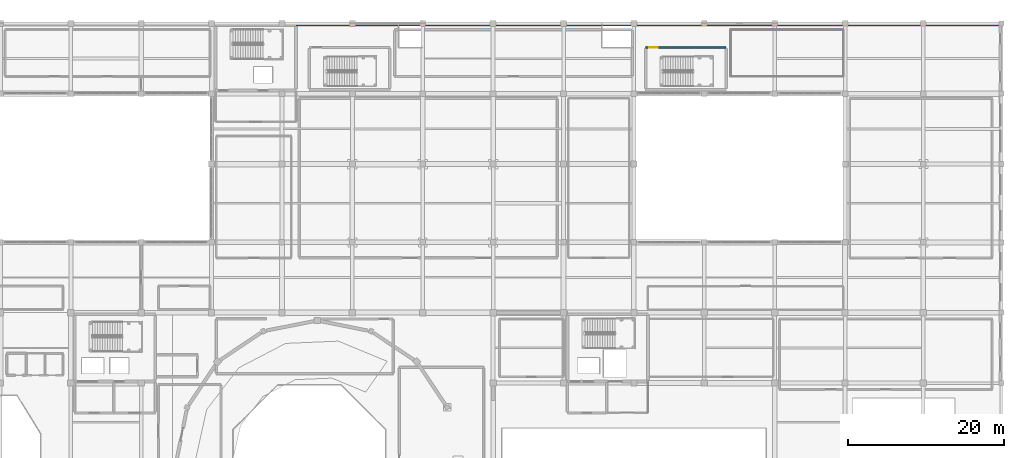
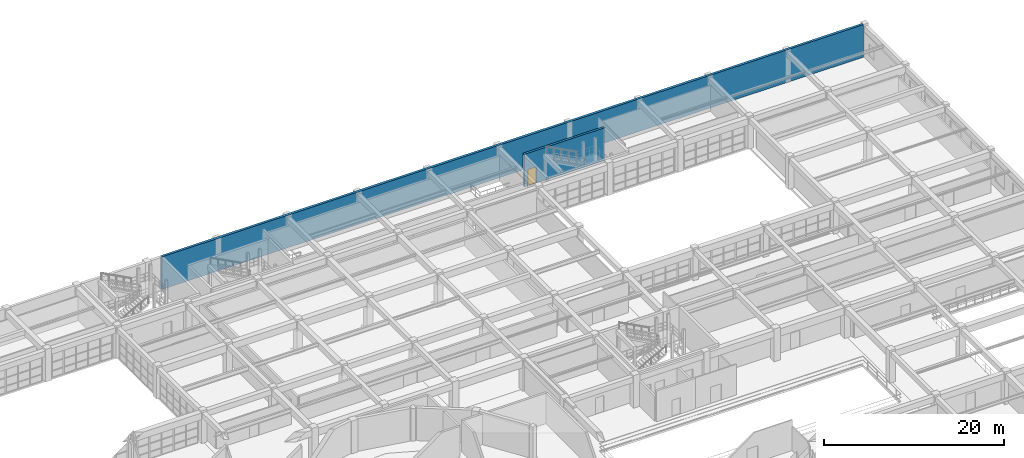
# One storey, part 115 of 133: 2 walls, 1 door, 1 opening.
"""IFC4 building model written with IfcOpenShell, lengths in metres."""

import ifcopenshell
import ifcopenshell.guid

model = None  # the IFC model being written
_history = None  # IfcOwnerHistory: only IFC2X3 demands one
_inside = {}  # id of a spatial element -> (the spatial element, [elements in it])
_under = {}  # id of a project, library or spatial element -> (it, [spatial elements below it])
_declared = {}  # id of a project -> (the project, [libraries it declares])
_typed = {}  # id of a type object -> (the type object, [elements of that type])
_made_of = {}  # id of a material, layer set ... -> (it, [elements and type objects made of it])


def new_model(schema):
    """Start an empty IFC model of exactly this schema.

    Asked for "IFC4X3", IfcOpenShell would pick the latest addendum, in which some entities
    have other attributes; the version numbers below select the first issue.
    IFC2X3 requires an IfcOwnerHistory on every rooted entity: one is made here for all.
    """
    global model, _history
    if schema == "IFC4X3":
        model = ifcopenshell.file(schema_version=(4, 3, 0, 0))
    else:
        model = ifcopenshell.file(schema=schema)
    _inside.clear()
    _under.clear()
    _declared.clear()
    _typed.clear()
    _made_of.clear()
    _history = None
    if model.schema == "IFC2X3":
        org = make("IfcOrganization", Name="unknown")
        user = make(
            "IfcPersonAndOrganization",
            ThePerson=make("IfcPerson", FamilyName="unknown"),
            TheOrganization=org,
        )
        app = make(
            "IfcApplication",
            ApplicationDeveloper=org,
            Version="unknown",
            ApplicationFullName="unknown",
            ApplicationIdentifier="unknown",
        )
        _history = make(
            "IfcOwnerHistory",
            OwningUser=user,
            OwningApplication=app,
            ChangeAction="ADDED",
            CreationDate=0,
        )
    return model


def make(cls, **values):
    """One entity of the class cls with the attributes given. An attribute that is None is left unset."""
    return model.create_entity(
        cls, **{name: value for name, value in values.items() if value is not None}
    )


def rooted(cls, **values):
    """An entity with a GlobalId (a new one), such as an element, a storey or a relation."""
    return make(cls, GlobalId=ifcopenshell.guid.new(), OwnerHistory=_history, **values)


def si_unit(unit_type, name, prefix=None):
    """IfcSIUnit, for example si_unit("LENGTHUNIT", "METRE", prefix="MILLI")."""
    return make("IfcSIUnit", UnitType=unit_type, Prefix=prefix, Name=name)


def assignment(units):
    """IfcUnitAssignment: the units of a project."""
    return None if units is None else make("IfcUnitAssignment", Units=units)


def point(xyz):
    """IfcCartesianPoint."""
    return None if xyz is None else make("IfcCartesianPoint", Coordinates=xyz)


def direction(xyz):
    """IfcDirection."""
    return None if xyz is None else make("IfcDirection", DirectionRatios=xyz)


def frame(location, z_axis=None, x_axis=None):
    """IfcAxis2Placement3D, a coordinate frame: its origin and axes. An axis left out is left unset."""
    return make(
        "IfcAxis2Placement3D",
        Location=point(location),
        Axis=direction(z_axis),
        RefDirection=direction(x_axis),
    )


def frame_2d(location, x_axis=None):
    """IfcAxis2Placement2D, a coordinate frame in the plane: its origin and x axis."""
    return make(
        "IfcAxis2Placement2D", Location=point(location), RefDirection=direction(x_axis)
    )


def origin():
    """The frame at (0, 0, 0) with its axes left unset."""
    return frame((0.0, 0.0, 0.0))


def place(relative_to, where):
    """IfcLocalPlacement: puts the frame where relative to a parent placement (None: the world)."""
    return make(
        "IfcLocalPlacement", PlacementRelTo=relative_to, RelativePlacement=where
    )


def context(
    kind, dimensions, precision=None, world=None, true_north=None, identifier=None
):
    """IfcGeometricRepresentationContext, for example the 3D "Model" context."""
    return make(
        "IfcGeometricRepresentationContext",
        ContextIdentifier=identifier,
        ContextType=kind,
        CoordinateSpaceDimension=dimensions,
        Precision=precision,
        WorldCoordinateSystem=world,
        TrueNorth=true_north,
    )


def subcontext(parent, identifier, kind, view, scale=None):
    """IfcGeometricRepresentationSubContext, for example "Body" below "Model"."""
    return make(
        "IfcGeometricRepresentationSubContext",
        ContextIdentifier=identifier,
        ContextType=kind,
        ParentContext=parent,
        TargetScale=scale,
        TargetView=view,
    )


def project(units=None, contexts=None):
    """IfcProject with its units and contexts."""
    return rooted(
        "IfcProject",
        Name="project",
        RepresentationContexts=contexts,
        UnitsInContext=assignment(units),
    )


def spatial(cls, under=None, at=None, **own):
    """A site, building, storey or space (cls), placed at a placement, below another one or the project."""
    s = rooted(cls, ObjectPlacement=at, **own)
    if under is not None:
        _under.setdefault(under.id(), (under, []))[1].append(s)
    return s


def profile(cls, at=None, kind="AREA", **sizes):
    """A parametric profile (cls). Its sizes go by their IFC names, for example OverallWidth=200.0."""
    return make(cls, ProfileType=kind, Position=at, **sizes)


def rectangle(**sizes):
    """IfcRectangleProfileDef."""
    return profile("IfcRectangleProfileDef", **sizes)


def extrude(swept, where, along, depth):
    """IfcExtrudedAreaSolid: the profile swept, set in the frame where, extruded along a direction by depth."""
    return make(
        "IfcExtrudedAreaSolid",
        SweptArea=swept,
        Position=where,
        ExtrudedDirection=direction(along),
        Depth=depth,
    )


def shape(context_of_items, identifier, shape_type, items):
    """IfcShapeRepresentation: the items that make up one representation, for example the "Body"."""
    return make(
        "IfcShapeRepresentation",
        ContextOfItems=context_of_items,
        RepresentationIdentifier=identifier,
        RepresentationType=shape_type,
        Items=items,
    )


def material(Name=None, Category=None):
    """IfcMaterial."""
    return make("IfcMaterial", Name=Name, Category=Category)


def layer(
    of_material, thickness, ventilated=None, Name=None, Category=None, Priority=None
):
    """IfcMaterialLayer: one layer of a wall or slab, of a material (None: an air gap)."""
    return make(
        "IfcMaterialLayer",
        Material=of_material,
        LayerThickness=thickness,
        IsVentilated=ventilated,
        Name=Name,
        Category=Category,
        Priority=Priority,
    )


def layer_set(layers, Name=None):
    """IfcMaterialLayerSet."""
    return make("IfcMaterialLayerSet", MaterialLayers=layers, LayerSetName=Name)


def made_of(thing, what):
    """Note that an element or type object is made of a material, layer set ...; save() writes the relation."""
    if what is not None:
        _made_of.setdefault(what.id(), (what, []))[1].append(thing)
    return thing


def type_object(cls, material=None, **own):
    """A type object (cls), such as IfcWallType, which elements share."""
    return made_of(rooted(cls, **own), material)


def element(
    cls,
    number,
    at=None,
    inside=None,
    cuts=None,
    type_object=None,
    material=None,
    context=None,
    identifier="Body",
    shape_type=None,
    held_by="IfcProductDefinitionShape",
    body=None,
    shapes=None,
    **own,
):
    """One element of the class cls, such as IfcWall. Its Tag is "e" and its number.

    at: its placement. inside: the storey or other place that contains it. cuts: it is an
    opening in that element (IfcRelVoidsElement). A single representation is given by context,
    identifier, shape_type and body (its items); several are given by shapes. held_by: the class
    of the entity that holds the representations. save() writes the other relations.
    """
    e = rooted(cls, Tag="e%d" % number, ObjectPlacement=at, **own)
    if body is not None:
        shapes = [shape(context, identifier, shape_type, body)]
    if shapes is not None:
        e.Representation = make(held_by, Representations=shapes)
    if inside is not None:
        _inside.setdefault(inside.id(), (inside, []))[1].append(e)
    if cuts is not None:
        rooted(
            "IfcRelVoidsElement", RelatingBuildingElement=cuts, RelatedOpeningElement=e
        )
    if type_object is not None:
        _typed.setdefault(type_object.id(), (type_object, []))[1].append(e)
    return made_of(e, material)


def fill(opening, filler):
    """IfcRelFillsElement: the door or window that sits in an opening."""
    return rooted(
        "IfcRelFillsElement",
        RelatingOpeningElement=opening,
        RelatedBuildingElement=filler,
    )


def aggregate(whole, parts):
    """IfcRelAggregates: a whole, such as a stair, and the parts it consists of."""
    return rooted("IfcRelAggregates", RelatingObject=whole, RelatedObjects=parts)


def save(model, path):
    """Write the relations noted so far, then the file.

    IfcRelAggregates (storeys below a building ...), IfcRelContainedInSpatialStructure (elements
    in a storey), IfcRelDefinesByType, IfcRelAssociatesMaterial and IfcRelDeclares: one each for
    every whole, place, type object, material and project.
    """
    for whole, parts in _under.values():
        aggregate(whole, parts)
    for where, things in _inside.values():
        rooted(
            "IfcRelContainedInSpatialStructure",
            RelatedElements=things,
            RelatingStructure=where,
        )
    for kind, things in _typed.values():
        rooted("IfcRelDefinesByType", RelatedObjects=things, RelatingType=kind)
    for what, things in _made_of.values():
        rooted("IfcRelAssociatesMaterial", RelatedObjects=things, RelatingMaterial=what)
    for by, libraries in _declared.values():
        rooted("IfcRelDeclares", RelatingContext=by, RelatedDefinitions=libraries)
    model.write(path)


model = new_model("IFC4")

# Units and contexts
model_context = context("Model", 3, precision=1e-05, world=origin(), true_north=direction((0.0, 1.0)))
body_context = subcontext(model_context, "Body", "Model", "MODEL_VIEW")
ifc_project = project(units=[si_unit("LENGTHUNIT", "METRE"), si_unit("AREAUNIT", "SQUARE_METRE"), si_unit("VOLUMEUNIT", "CUBIC_METRE"), si_unit("PLANEANGLEUNIT", "RADIAN"), si_unit("MASSUNIT", "GRAM", prefix="KILO")], contexts=[model_context])

# Site, building, storey
site_placement = place(None, origin())
site = spatial("IfcSite", under=ifc_project, at=site_placement, CompositionType="ELEMENT")
building_placement = place(site_placement, origin())
building = spatial("IfcBuilding", under=site, at=building_placement, Name="Miravela Opera House", CompositionType="ELEMENT")
storey_placement = place(building_placement, frame((0.0, 0.0, 5.10009765625)))
storey = spatial("IfcBuildingStorey", under=building, at=storey_placement, Name="L01", CompositionType="ELEMENT", Elevation=5.10009765625)

# Wall
ifc_material_1 = material(Name="Concrete C35/45", Category="concrete")
ifc_layer_1 = layer(ifc_material_1, 0.320068359375)
ifc_layer_set_1 = layer_set([ifc_layer_1])
wall_type_1 = type_object("IfcWallType", Name="STR-WALL-PARTY-320", PredefinedType="SHEAR", material=ifc_layer_set_1)
wall_1_placement = place(storey_placement, frame((73.77490234375, 111.840087890625, 0.0), z_axis=(0.0, 0.0, 1.0), x_axis=(1.0, 0.0, 0.0)))
element("IfcWall", 1, at=wall_1_placement, inside=storey, type_object=wall_type_1, Name="North Lot-Line Blind Fire Party Wall East (L01)", PredefinedType="SHEAR", context=body_context, shape_type="SweptSolid", body=[
    extrude(rectangle(XDim=89.875, YDim=0.320068359375, at=frame_2d((44.9375, 0.0))), origin(), (0.0, 0.0, 1.0), 4.419921875),
])

# Wall, opening, door
ifc_layer_2 = layer(ifc_material_1, 0.300048828125)
ifc_layer_set_2 = layer_set([ifc_layer_2])
wall_type_2 = type_object("IfcWallType", Name="STR-WALL-WING-300", PredefinedType="SHEAR", material=ifc_layer_set_2)
wall_2_placement = place(storey_placement, frame((118.5, 108.89990234375, 0.0), z_axis=(0.0, 0.0, 1.0), x_axis=(1.0, 0.0, 0.0)))
wall_2 = element("IfcWall", 2, at=wall_2_placement, inside=storey, type_object=wall_type_2, Name="Core ST-09 Shear Wall North (L01)", PredefinedType="SHEAR", context=body_context, shape_type="SweptSolid", body=[
    extrude(rectangle(XDim=10.300048828125, YDim=0.300048828125, at=frame_2d((5.14990234375, 0.0))), origin(), (0.0, 0.0, 1.0), 4.419921875),
])
opening_placement = place(wall_2_placement, frame((0.449951171875, 0.0, 0.0)))
opening = element("IfcOpeningElement", 3, at=opening_placement, cuts=wall_2, Name="Opening FD-01", PredefinedType="OPENING", context=body_context, shape_type="SweptSolid", body=[
    extrude(rectangle(XDim=1.10009765625, YDim=2.199951171875, at=frame_2d((0.550048828125, 1.10009765625))), frame((0.0, 0.159912109375, 0.0), z_axis=(0.0, -1.0, 0.0), x_axis=(1.0, 0.0, 0.0)), (0.0, 0.0, 1.0), 0.320068359375),
])
ifc_material_2 = material(Name="Fire-rated steel/hardwood exit stair door", Category="steel")
door_type = type_object("IfcDoorType", Name="ARC-FD-1100X2200", OperationType="NOTDEFINED", PredefinedType="DOOR", material=ifc_material_2)
door_placement = place(opening_placement, frame((1.10009765625, 0.0, 0.0), z_axis=(0.0, 0.0, 1.0), x_axis=(-1.0, 0.0, 0.0)))
door = element("IfcDoor", 4, at=door_placement, inside=storey, type_object=door_type, Name="Exit Stair ST-09 Rated Door (L01) IDR-L01-0052", OperationType="SINGLE_SWING_RIGHT", OverallHeight=2.199951171875, OverallWidth=1.10009765625, PredefinedType="DOOR", context=body_context, shape_type="SweptSolid", body=[
    extrude(rectangle(XDim=1.10009765625, YDim=2.199951171875, at=frame_2d((0.550048828125, 1.10009765625))), frame((0.0, 0.02490234375, 0.0), z_axis=(0.0, -1.0, 0.0), x_axis=(1.0, 0.0, 0.0)), (0.0, 0.0, 1.0), 0.050048828125),
])
fill(opening, door)

save(model, "model.ifc")
